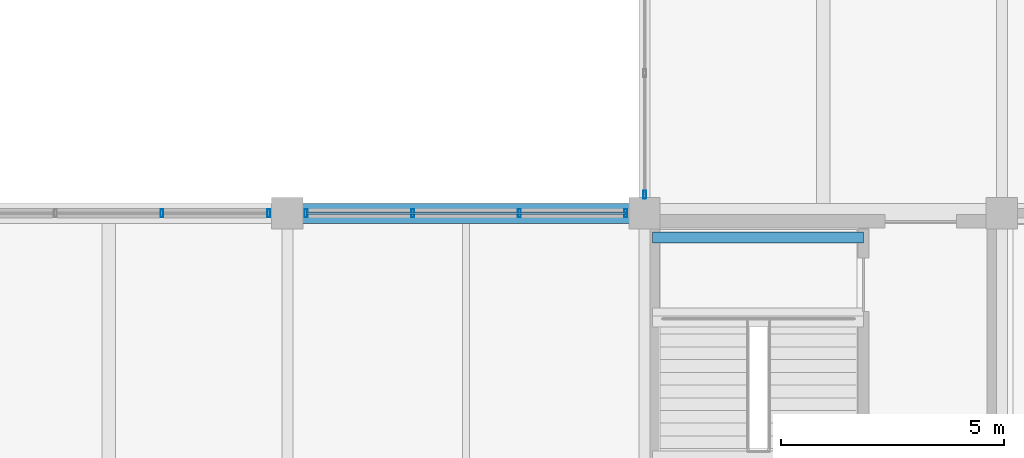
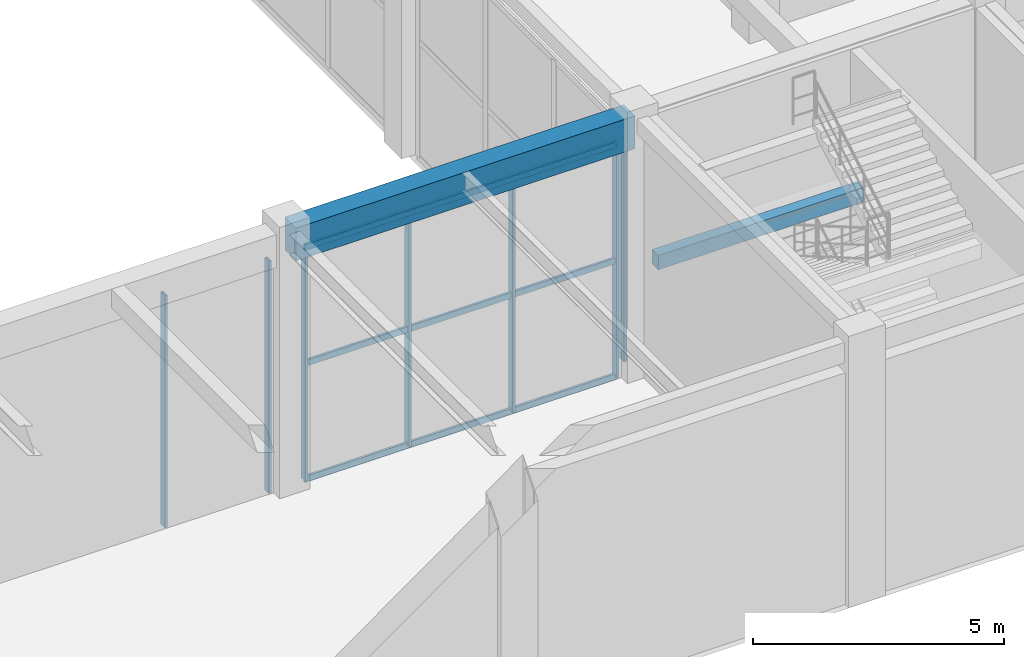
# One storey, part 93 of 163: 10 members, 2 beams, 3 elements without a shape of their own.
"""IFC4 building model written with IfcOpenShell, lengths in metres."""

import ifcopenshell
import ifcopenshell.guid

model = None  # the IFC model being written
_history = None  # IfcOwnerHistory: only IFC2X3 demands one
_inside = {}  # id of a spatial element -> (the spatial element, [elements in it])
_under = {}  # id of a project, library or spatial element -> (it, [spatial elements below it])
_declared = {}  # id of a project -> (the project, [libraries it declares])
_typed = {}  # id of a type object -> (the type object, [elements of that type])
_made_of = {}  # id of a material, layer set ... -> (it, [elements and type objects made of it])


def new_model(schema):
    """Start an empty IFC model of exactly this schema.

    Asked for "IFC4X3", IfcOpenShell would pick the latest addendum, in which some entities
    have other attributes; the version numbers below select the first issue.
    IFC2X3 requires an IfcOwnerHistory on every rooted entity: one is made here for all.
    """
    global model, _history
    if schema == "IFC4X3":
        model = ifcopenshell.file(schema_version=(4, 3, 0, 0))
    else:
        model = ifcopenshell.file(schema=schema)
    _inside.clear()
    _under.clear()
    _declared.clear()
    _typed.clear()
    _made_of.clear()
    _history = None
    if model.schema == "IFC2X3":
        org = make("IfcOrganization", Name="unknown")
        user = make(
            "IfcPersonAndOrganization",
            ThePerson=make("IfcPerson", FamilyName="unknown"),
            TheOrganization=org,
        )
        app = make(
            "IfcApplication",
            ApplicationDeveloper=org,
            Version="unknown",
            ApplicationFullName="unknown",
            ApplicationIdentifier="unknown",
        )
        _history = make(
            "IfcOwnerHistory",
            OwningUser=user,
            OwningApplication=app,
            ChangeAction="ADDED",
            CreationDate=0,
        )
    return model


def make(cls, **values):
    """One entity of the class cls with the attributes given. An attribute that is None is left unset."""
    return model.create_entity(
        cls, **{name: value for name, value in values.items() if value is not None}
    )


def rooted(cls, **values):
    """An entity with a GlobalId (a new one), such as an element, a storey or a relation."""
    return make(cls, GlobalId=ifcopenshell.guid.new(), OwnerHistory=_history, **values)


def si_unit(unit_type, name, prefix=None):
    """IfcSIUnit, for example si_unit("LENGTHUNIT", "METRE", prefix="MILLI")."""
    return make("IfcSIUnit", UnitType=unit_type, Prefix=prefix, Name=name)


def assignment(units):
    """IfcUnitAssignment: the units of a project."""
    return None if units is None else make("IfcUnitAssignment", Units=units)


def point(xyz):
    """IfcCartesianPoint."""
    return None if xyz is None else make("IfcCartesianPoint", Coordinates=xyz)


def direction(xyz):
    """IfcDirection."""
    return None if xyz is None else make("IfcDirection", DirectionRatios=xyz)


def frame(location, z_axis=None, x_axis=None):
    """IfcAxis2Placement3D, a coordinate frame: its origin and axes. An axis left out is left unset."""
    return make(
        "IfcAxis2Placement3D",
        Location=point(location),
        Axis=direction(z_axis),
        RefDirection=direction(x_axis),
    )


def frame_2d(location, x_axis=None):
    """IfcAxis2Placement2D, a coordinate frame in the plane: its origin and x axis."""
    return make(
        "IfcAxis2Placement2D", Location=point(location), RefDirection=direction(x_axis)
    )


def origin():
    """The frame at (0, 0, 0) with its axes left unset."""
    return frame((0.0, 0.0, 0.0))


def origin_2d():
    """The frame at (0, 0) in the plane with its x axis left unset."""
    return frame_2d((0.0, 0.0))


def place(relative_to, where):
    """IfcLocalPlacement: puts the frame where relative to a parent placement (None: the world)."""
    return make(
        "IfcLocalPlacement", PlacementRelTo=relative_to, RelativePlacement=where
    )


def context(
    kind, dimensions, precision=None, world=None, true_north=None, identifier=None
):
    """IfcGeometricRepresentationContext, for example the 3D "Model" context."""
    return make(
        "IfcGeometricRepresentationContext",
        ContextIdentifier=identifier,
        ContextType=kind,
        CoordinateSpaceDimension=dimensions,
        Precision=precision,
        WorldCoordinateSystem=world,
        TrueNorth=true_north,
    )


def subcontext(parent, identifier, kind, view, scale=None):
    """IfcGeometricRepresentationSubContext, for example "Body" below "Model"."""
    return make(
        "IfcGeometricRepresentationSubContext",
        ContextIdentifier=identifier,
        ContextType=kind,
        ParentContext=parent,
        TargetScale=scale,
        TargetView=view,
    )


def project(units=None, contexts=None):
    """IfcProject with its units and contexts."""
    return rooted(
        "IfcProject",
        Name="project",
        RepresentationContexts=contexts,
        UnitsInContext=assignment(units),
    )


def spatial(cls, under=None, at=None, **own):
    """A site, building, storey or space (cls), placed at a placement, below another one or the project."""
    s = rooted(cls, ObjectPlacement=at, **own)
    if under is not None:
        _under.setdefault(under.id(), (under, []))[1].append(s)
    return s


def profile(cls, at=None, kind="AREA", **sizes):
    """A parametric profile (cls). Its sizes go by their IFC names, for example OverallWidth=200.0."""
    return make(cls, ProfileType=kind, Position=at, **sizes)


def rectangle(**sizes):
    """IfcRectangleProfileDef."""
    return profile("IfcRectangleProfileDef", **sizes)


def hollow_rectangle(**sizes):
    """IfcRectangleHollowProfileDef."""
    return profile("IfcRectangleHollowProfileDef", **sizes)


def extrude(swept, where, along, depth):
    """IfcExtrudedAreaSolid: the profile swept, set in the frame where, extruded along a direction by depth."""
    return make(
        "IfcExtrudedAreaSolid",
        SweptArea=swept,
        Position=where,
        ExtrudedDirection=direction(along),
        Depth=depth,
    )


def shape(context_of_items, identifier, shape_type, items):
    """IfcShapeRepresentation: the items that make up one representation, for example the "Body"."""
    return make(
        "IfcShapeRepresentation",
        ContextOfItems=context_of_items,
        RepresentationIdentifier=identifier,
        RepresentationType=shape_type,
        Items=items,
    )


def material(Name=None, Category=None):
    """IfcMaterial."""
    return make("IfcMaterial", Name=Name, Category=Category)


def material_profile(
    of_material, cross_section, Name=None, Category=None, Priority=None
):
    """IfcMaterialProfile: a cross section and its material."""
    return make(
        "IfcMaterialProfile",
        Name=Name,
        Material=of_material,
        Profile=cross_section,
        Priority=Priority,
        Category=Category,
    )


def profile_set(profiles, Name=None, composite=None):
    """IfcMaterialProfileSet."""
    return make(
        "IfcMaterialProfileSet",
        Name=Name,
        MaterialProfiles=profiles,
        CompositeProfile=composite,
    )


def made_of(thing, what):
    """Note that an element or type object is made of a material, layer set ...; save() writes the relation."""
    if what is not None:
        _made_of.setdefault(what.id(), (what, []))[1].append(thing)
    return thing


def type_object(cls, material=None, **own):
    """A type object (cls), such as IfcWallType, which elements share."""
    return made_of(rooted(cls, **own), material)


def element(
    cls,
    number,
    at=None,
    inside=None,
    cuts=None,
    type_object=None,
    material=None,
    context=None,
    identifier="Body",
    shape_type=None,
    held_by="IfcProductDefinitionShape",
    body=None,
    shapes=None,
    **own,
):
    """One element of the class cls, such as IfcWall. Its Tag is "e" and its number.

    at: its placement. inside: the storey or other place that contains it. cuts: it is an
    opening in that element (IfcRelVoidsElement). A single representation is given by context,
    identifier, shape_type and body (its items); several are given by shapes. held_by: the class
    of the entity that holds the representations. save() writes the other relations.
    """
    e = rooted(cls, Tag="e%d" % number, ObjectPlacement=at, **own)
    if body is not None:
        shapes = [shape(context, identifier, shape_type, body)]
    if shapes is not None:
        e.Representation = make(held_by, Representations=shapes)
    if inside is not None:
        _inside.setdefault(inside.id(), (inside, []))[1].append(e)
    if cuts is not None:
        rooted(
            "IfcRelVoidsElement", RelatingBuildingElement=cuts, RelatedOpeningElement=e
        )
    if type_object is not None:
        _typed.setdefault(type_object.id(), (type_object, []))[1].append(e)
    return made_of(e, material)


def aggregate(whole, parts):
    """IfcRelAggregates: a whole, such as a stair, and the parts it consists of."""
    return rooted("IfcRelAggregates", RelatingObject=whole, RelatedObjects=parts)


def save(model, path):
    """Write the relations noted so far, then the file.

    IfcRelAggregates (storeys below a building ...), IfcRelContainedInSpatialStructure (elements
    in a storey), IfcRelDefinesByType, IfcRelAssociatesMaterial and IfcRelDeclares: one each for
    every whole, place, type object, material and project.
    """
    for whole, parts in _under.values():
        aggregate(whole, parts)
    for where, things in _inside.values():
        rooted(
            "IfcRelContainedInSpatialStructure",
            RelatedElements=things,
            RelatingStructure=where,
        )
    for kind, things in _typed.values():
        rooted("IfcRelDefinesByType", RelatedObjects=things, RelatingType=kind)
    for what, things in _made_of.values():
        rooted("IfcRelAssociatesMaterial", RelatedObjects=things, RelatingMaterial=what)
    for by, libraries in _declared.values():
        rooted("IfcRelDeclares", RelatingContext=by, RelatedDefinitions=libraries)
    model.write(path)


model = new_model("IFC4")

# Units and contexts
model_context = context("Model", 3, precision=1e-05, world=origin(), true_north=direction((0.0, 1.0)))
body_context = subcontext(model_context, "Body", "Model", "MODEL_VIEW")
ifc_project = project(units=[si_unit("LENGTHUNIT", "METRE"), si_unit("AREAUNIT", "SQUARE_METRE"), si_unit("VOLUMEUNIT", "CUBIC_METRE"), si_unit("PLANEANGLEUNIT", "RADIAN"), si_unit("MASSUNIT", "GRAM", prefix="KILO")], contexts=[model_context])

# Site, building, storey
site_placement = place(None, origin())
site = spatial("IfcSite", under=ifc_project, at=site_placement, CompositionType="ELEMENT")
building_placement = place(site_placement, origin())
building = spatial("IfcBuilding", under=site, at=building_placement, Name="Varnabhumi Central Station", CompositionType="ELEMENT")
storey_placement = place(building_placement, frame((0.0, 0.0, 9.60009765625)))
storey = spatial("IfcBuildingStorey", under=building, at=storey_placement, Name="L02", CompositionType="ELEMENT", Elevation=9.60009765625)

# Beams
ifc_material_1 = material(Name="Concrete M35", Category="concrete")
ifc_material_profile_1 = material_profile(ifc_material_1, rectangle(XDim=0.25, YDim=0.35009765625, at=origin_2d()), Name="Concrete M35", Category="concrete")
ifc_profile_set_1 = profile_set([ifc_material_profile_1], Name="Concrete M35")
beam_type_1 = type_object("IfcBeamType", Name="BM-RC-250x350", PredefinedType="LINTEL", material=ifc_profile_set_1)
beam_1_placement = place(storey_placement, frame((144.179931640625, 8.4599609375, 2.94482421875), z_axis=(1.0, 0.0, 0.0), x_axis=(0.0, 1.0, 0.0)))
element("IfcBeam", 1, at=beam_1_placement, inside=storey, type_object=beam_type_1, Name="ST-S3 L02 Mid-Height Landing Support Beam 2", PredefinedType="LINTEL", context=body_context, shape_type="SweptSolid", body=[
    extrude(rectangle(XDim=0.25, YDim=0.35009765625, at=origin_2d()), origin(), (0.0, 0.0, 1.0), 4.719970703125),
])
ifc_material_2 = material(Name="Concrete M40", Category="concrete")
ifc_material_profile_2 = material_profile(ifc_material_2, rectangle(XDim=0.449951171875, YDim=0.800048828125, at=origin_2d()), Name="Concrete M40", Category="concrete")
ifc_profile_set_2 = profile_set([ifc_material_profile_2], Name="Concrete M40")
beam_type_2 = type_object("IfcBeamType", Name="BM-RC-450x800", PredefinedType="BEAM", material=ifc_profile_set_2)
beam_2_placement = place(storey_placement, frame((136.10009765625, 9.0, 5.949951171875), z_axis=(1.0, 0.0, 0.0), x_axis=(0.0, 1.0, 0.0)))
element("IfcBeam", 2, at=beam_2_placement, inside=storey, type_object=beam_type_2, Name="Beam L02-B:18-19", PredefinedType="BEAM", context=body_context, shape_type="SweptSolid", body=[
    extrude(rectangle(XDim=0.449951171875, YDim=0.800048828125, at=origin_2d()), origin(), (0.0, 0.0, 1.0), 7.7998046875),
])

# Curtain wall, member
ifc_material_3 = material(Name="Anodised aluminium 6063-T6", Category="aluminium")
curtain_wall_type = type_object("IfcCurtainWallType", Name="CW-PATIO-LOGGIA-L2", PredefinedType="NOTDEFINED", material=ifc_material_3)
curtain_wall_1_placement = place(storey_placement, origin())
curtain_wall_1 = element("IfcCurtainWall", 3, at=curtain_wall_1_placement, inside=storey, type_object=curtain_wall_type, Name="Curtain Wall CW-SP2W1", PredefinedType="NOTDEFINED")
ifc_material_profile_3 = material_profile(ifc_material_3, hollow_rectangle(XDim=0.06494140625, YDim=0.179931640625, WallThickness=0.00390625, InnerFilletRadius=0.001953125, OuterFilletRadius=0.006103515625, at=origin_2d()), Name="Anodised aluminium 6063-T6", Category="aluminium")
ifc_profile_set_3 = profile_set([ifc_material_profile_3], Name="Anodised aluminium 6063-T6")
member_type_1 = type_object("IfcMemberType", Name="CW-MUL-180", PredefinedType="MULLION", material=ifc_profile_set_3)
member_1_placement = place(storey_placement, frame((144.0, 9.419921875, 0.0), z_axis=(0.0, 0.0, 1.0), x_axis=(1.0, 0.0, 0.0)))
member_1 = element("IfcMember", 4, at=member_1_placement, type_object=member_type_1, Name="Curtain Wall Mullion CW-SP2W1-M1", PredefinedType="MULLION", context=body_context, shape_type="SweptSolid", body=[
    extrude(hollow_rectangle(XDim=0.06494140625, YDim=0.179931640625, WallThickness=0.00390625, InnerFilletRadius=0.001953125, OuterFilletRadius=0.006103515625, at=origin_2d()), origin(), (0.0, 0.0, 1.0), 5.639892578125),
])
aggregate(curtain_wall_1, [member_1])

# Curtain wall, members
curtain_wall_2_placement = place(storey_placement, origin())
curtain_wall_2 = element("IfcCurtainWall", 5, at=curtain_wall_2_placement, inside=storey, type_object=curtain_wall_type, Name="Curtain Wall CW-SP2S3", PredefinedType="NOTDEFINED")
member_2_placement = place(storey_placement, frame((133.193359375, 9.0, 0.0), z_axis=(0.0, 0.0, 1.0), x_axis=(1.0, 0.0, 0.0)))
member_2 = element("IfcMember", 6, at=member_2_placement, type_object=member_type_1, Name="Curtain Wall Mullion CW-SP2S3-M3", PredefinedType="MULLION", context=body_context, shape_type="SweptSolid", body=[
    extrude(hollow_rectangle(XDim=0.06494140625, YDim=0.179931640625, WallThickness=0.00390625, InnerFilletRadius=0.001953125, OuterFilletRadius=0.006103515625, at=origin_2d()), origin(), (0.0, 0.0, 1.0), 5.639892578125),
])
member_3_placement = place(storey_placement, frame((135.580078125, 9.0, 0.0), z_axis=(0.0, 0.0, 1.0), x_axis=(1.0, 0.0, 0.0)))
member_3 = element("IfcMember", 7, at=member_3_placement, type_object=member_type_1, Name="Curtain Wall Mullion CW-SP2S3-M4", PredefinedType="MULLION", context=body_context, shape_type="SweptSolid", body=[
    extrude(hollow_rectangle(XDim=0.06494140625, YDim=0.179931640625, WallThickness=0.00390625, InnerFilletRadius=0.001953125, OuterFilletRadius=0.006103515625, at=origin_2d()), origin(), (0.0, 0.0, 1.0), 5.639892578125),
])
aggregate(curtain_wall_2, [member_2, member_3])

curtain_wall_3_placement = place(storey_placement, origin())
curtain_wall_3 = element("IfcCurtainWall", 8, at=curtain_wall_3_placement, inside=storey, type_object=curtain_wall_type, Name="Curtain Wall CW-SP2S4", PredefinedType="NOTDEFINED")
member_4_placement = place(storey_placement, frame((136.419921875, 9.0, 0.0), z_axis=(0.0, 0.0, 1.0), x_axis=(1.0, 0.0, 0.0)))
member_4 = element("IfcMember", 9, at=member_4_placement, type_object=member_type_1, Name="Curtain Wall Mullion CW-SP2S4-M1", PredefinedType="MULLION", context=body_context, shape_type="SweptSolid", body=[
    extrude(hollow_rectangle(XDim=0.06494140625, YDim=0.179931640625, WallThickness=0.00390625, InnerFilletRadius=0.001953125, OuterFilletRadius=0.006103515625, at=origin_2d()), origin(), (0.0, 0.0, 1.0), 5.639892578125),
])
member_5_placement = place(storey_placement, frame((138.806640625, 9.0, 0.0), z_axis=(0.0, 0.0, 1.0), x_axis=(1.0, 0.0, 0.0)))
member_5 = element("IfcMember", 10, at=member_5_placement, type_object=member_type_1, Name="Curtain Wall Mullion CW-SP2S4-M2", PredefinedType="MULLION", context=body_context, shape_type="SweptSolid", body=[
    extrude(hollow_rectangle(XDim=0.06494140625, YDim=0.179931640625, WallThickness=0.00390625, InnerFilletRadius=0.001953125, OuterFilletRadius=0.006103515625, at=origin_2d()), origin(), (0.0, 0.0, 1.0), 5.639892578125),
])
member_6_placement = place(storey_placement, frame((141.193359375, 9.0, 0.0), z_axis=(0.0, 0.0, 1.0), x_axis=(1.0, 0.0, 0.0)))
member_6 = element("IfcMember", 11, at=member_6_placement, type_object=member_type_1, Name="Curtain Wall Mullion CW-SP2S4-M3", PredefinedType="MULLION", context=body_context, shape_type="SweptSolid", body=[
    extrude(hollow_rectangle(XDim=0.06494140625, YDim=0.179931640625, WallThickness=0.00390625, InnerFilletRadius=0.001953125, OuterFilletRadius=0.006103515625, at=origin_2d()), origin(), (0.0, 0.0, 1.0), 5.639892578125),
])
member_7_placement = place(storey_placement, frame((143.580078125, 9.0, 0.0), z_axis=(0.0, 0.0, 1.0), x_axis=(1.0, 0.0, 0.0)))
member_7 = element("IfcMember", 12, at=member_7_placement, type_object=member_type_1, Name="Curtain Wall Mullion CW-SP2S4-M4", PredefinedType="MULLION", context=body_context, shape_type="SweptSolid", body=[
    extrude(hollow_rectangle(XDim=0.06494140625, YDim=0.179931640625, WallThickness=0.00390625, InnerFilletRadius=0.001953125, OuterFilletRadius=0.006103515625, at=origin_2d()), origin(), (0.0, 0.0, 1.0), 5.639892578125),
])
ifc_material_profile_4 = material_profile(ifc_material_3, hollow_rectangle(XDim=0.06005859375, YDim=0.14990234375, WallThickness=0.00390625, InnerFilletRadius=0.001953125, OuterFilletRadius=0.006103515625, at=origin_2d()), Name="Anodised aluminium 6063-T6", Category="aluminium")
ifc_profile_set_4 = profile_set([ifc_material_profile_4], Name="Anodised aluminium 6063-T6")
member_type_2 = type_object("IfcMemberType", Name="CW-TR-150", PredefinedType="USERDEFINED", material=ifc_profile_set_4)
member_8_placement = place(storey_placement, frame((136.419921875, 9.0, 0.0), z_axis=(1.0, 0.0, 0.0), x_axis=(0.0, 1.0, 0.0)))
member_8 = element("IfcMember", 13, at=member_8_placement, type_object=member_type_2, Name="Curtain Wall Transom CW-SP2S4-T1", ObjectType="TRANSOM", PredefinedType="USERDEFINED", context=body_context, shape_type="SweptSolid", body=[
    extrude(hollow_rectangle(XDim=0.06005859375, YDim=0.14990234375, WallThickness=0.00390625, InnerFilletRadius=0.001953125, OuterFilletRadius=0.006103515625, at=origin_2d()), origin(), (0.0, 0.0, 1.0), 7.16015625),
])
member_9_placement = place(storey_placement, frame((136.419921875, 9.0, 2.81982421875), z_axis=(1.0, 0.0, 0.0), x_axis=(0.0, 1.0, 0.0)))
member_9 = element("IfcMember", 14, at=member_9_placement, type_object=member_type_2, Name="Curtain Wall Transom CW-SP2S4-T2", ObjectType="TRANSOM", PredefinedType="USERDEFINED", context=body_context, shape_type="SweptSolid", body=[
    extrude(hollow_rectangle(XDim=0.06005859375, YDim=0.14990234375, WallThickness=0.00390625, InnerFilletRadius=0.001953125, OuterFilletRadius=0.006103515625, at=origin_2d()), origin(), (0.0, 0.0, 1.0), 7.16015625),
])
member_10_placement = place(storey_placement, frame((136.419921875, 9.0, 5.639892578125), z_axis=(1.0, 0.0, 0.0), x_axis=(0.0, 1.0, 0.0)))
member_10 = element("IfcMember", 15, at=member_10_placement, type_object=member_type_2, Name="Curtain Wall Transom CW-SP2S4-T3", ObjectType="TRANSOM", PredefinedType="USERDEFINED", context=body_context, shape_type="SweptSolid", body=[
    extrude(hollow_rectangle(XDim=0.06005859375, YDim=0.14990234375, WallThickness=0.00390625, InnerFilletRadius=0.001953125, OuterFilletRadius=0.006103515625, at=origin_2d()), origin(), (0.0, 0.0, 1.0), 7.16015625),
])
aggregate(curtain_wall_3, [member_4, member_5, member_6, member_7, member_8, member_9, member_10])

save(model, "model.ifc")
